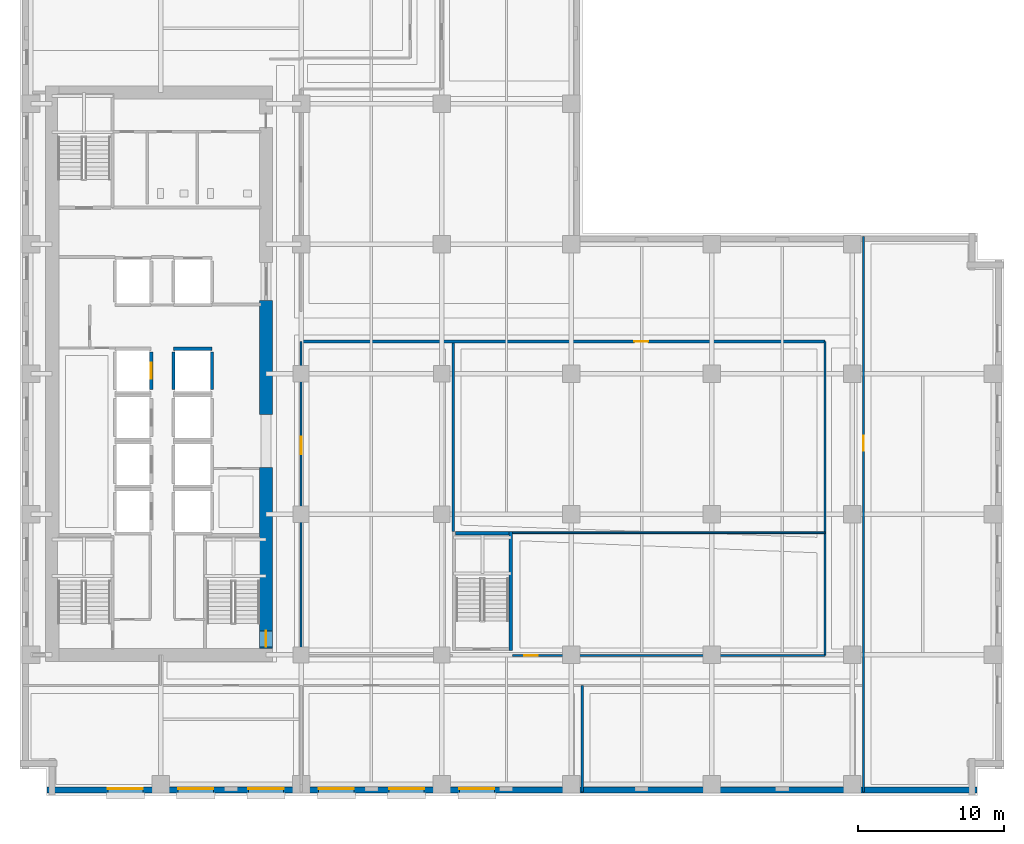
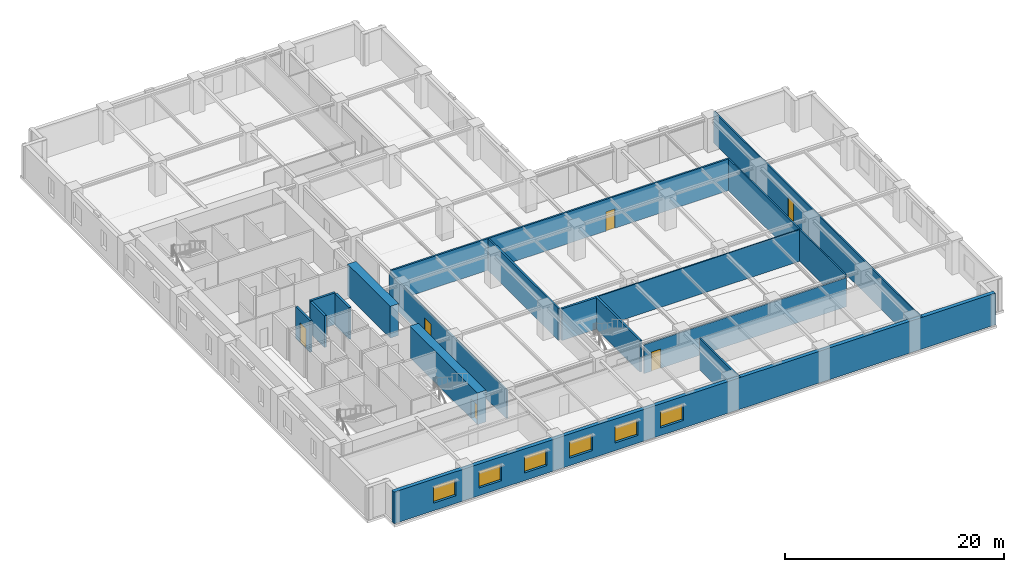
# One storey, part 5 of 14: 17 walls, 6 doors, 6 windows, 12 openings.
"""IFC4 building model written with IfcOpenShell, lengths in metres."""

import ifcopenshell
import ifcopenshell.guid

model = None  # the IFC model being written
_history = None  # IfcOwnerHistory: only IFC2X3 demands one
_inside = {}  # id of a spatial element -> (the spatial element, [elements in it])
_under = {}  # id of a project, library or spatial element -> (it, [spatial elements below it])
_declared = {}  # id of a project -> (the project, [libraries it declares])
_typed = {}  # id of a type object -> (the type object, [elements of that type])
_made_of = {}  # id of a material, layer set ... -> (it, [elements and type objects made of it])


def new_model(schema):
    """Start an empty IFC model of exactly this schema.

    Asked for "IFC4X3", IfcOpenShell would pick the latest addendum, in which some entities
    have other attributes; the version numbers below select the first issue.
    IFC2X3 requires an IfcOwnerHistory on every rooted entity: one is made here for all.
    """
    global model, _history
    if schema == "IFC4X3":
        model = ifcopenshell.file(schema_version=(4, 3, 0, 0))
    else:
        model = ifcopenshell.file(schema=schema)
    _inside.clear()
    _under.clear()
    _declared.clear()
    _typed.clear()
    _made_of.clear()
    _history = None
    if model.schema == "IFC2X3":
        org = make("IfcOrganization", Name="unknown")
        user = make(
            "IfcPersonAndOrganization",
            ThePerson=make("IfcPerson", FamilyName="unknown"),
            TheOrganization=org,
        )
        app = make(
            "IfcApplication",
            ApplicationDeveloper=org,
            Version="unknown",
            ApplicationFullName="unknown",
            ApplicationIdentifier="unknown",
        )
        _history = make(
            "IfcOwnerHistory",
            OwningUser=user,
            OwningApplication=app,
            ChangeAction="ADDED",
            CreationDate=0,
        )
    return model


def make(cls, **values):
    """One entity of the class cls with the attributes given. An attribute that is None is left unset."""
    return model.create_entity(
        cls, **{name: value for name, value in values.items() if value is not None}
    )


def rooted(cls, **values):
    """An entity with a GlobalId (a new one), such as an element, a storey or a relation."""
    return make(cls, GlobalId=ifcopenshell.guid.new(), OwnerHistory=_history, **values)


def si_unit(unit_type, name, prefix=None):
    """IfcSIUnit, for example si_unit("LENGTHUNIT", "METRE", prefix="MILLI")."""
    return make("IfcSIUnit", UnitType=unit_type, Prefix=prefix, Name=name)


def assignment(units):
    """IfcUnitAssignment: the units of a project."""
    return None if units is None else make("IfcUnitAssignment", Units=units)


def point(xyz):
    """IfcCartesianPoint."""
    return None if xyz is None else make("IfcCartesianPoint", Coordinates=xyz)


def direction(xyz):
    """IfcDirection."""
    return None if xyz is None else make("IfcDirection", DirectionRatios=xyz)


def frame(location, z_axis=None, x_axis=None):
    """IfcAxis2Placement3D, a coordinate frame: its origin and axes. An axis left out is left unset."""
    return make(
        "IfcAxis2Placement3D",
        Location=point(location),
        Axis=direction(z_axis),
        RefDirection=direction(x_axis),
    )


def frame_2d(location, x_axis=None):
    """IfcAxis2Placement2D, a coordinate frame in the plane: its origin and x axis."""
    return make(
        "IfcAxis2Placement2D", Location=point(location), RefDirection=direction(x_axis)
    )


def origin():
    """The frame at (0, 0, 0) with its axes left unset."""
    return frame((0.0, 0.0, 0.0))


def place(relative_to, where):
    """IfcLocalPlacement: puts the frame where relative to a parent placement (None: the world)."""
    return make(
        "IfcLocalPlacement", PlacementRelTo=relative_to, RelativePlacement=where
    )


def context(
    kind, dimensions, precision=None, world=None, true_north=None, identifier=None
):
    """IfcGeometricRepresentationContext, for example the 3D "Model" context."""
    return make(
        "IfcGeometricRepresentationContext",
        ContextIdentifier=identifier,
        ContextType=kind,
        CoordinateSpaceDimension=dimensions,
        Precision=precision,
        WorldCoordinateSystem=world,
        TrueNorth=true_north,
    )


def subcontext(parent, identifier, kind, view, scale=None):
    """IfcGeometricRepresentationSubContext, for example "Body" below "Model"."""
    return make(
        "IfcGeometricRepresentationSubContext",
        ContextIdentifier=identifier,
        ContextType=kind,
        ParentContext=parent,
        TargetScale=scale,
        TargetView=view,
    )


def project(units=None, contexts=None):
    """IfcProject with its units and contexts."""
    return rooted(
        "IfcProject",
        Name="project",
        RepresentationContexts=contexts,
        UnitsInContext=assignment(units),
    )


def spatial(cls, under=None, at=None, **own):
    """A site, building, storey or space (cls), placed at a placement, below another one or the project."""
    s = rooted(cls, ObjectPlacement=at, **own)
    if under is not None:
        _under.setdefault(under.id(), (under, []))[1].append(s)
    return s


def profile(cls, at=None, kind="AREA", **sizes):
    """A parametric profile (cls). Its sizes go by their IFC names, for example OverallWidth=200.0."""
    return make(cls, ProfileType=kind, Position=at, **sizes)


def rectangle(**sizes):
    """IfcRectangleProfileDef."""
    return profile("IfcRectangleProfileDef", **sizes)


def extrude(swept, where, along, depth):
    """IfcExtrudedAreaSolid: the profile swept, set in the frame where, extruded along a direction by depth."""
    return make(
        "IfcExtrudedAreaSolid",
        SweptArea=swept,
        Position=where,
        ExtrudedDirection=direction(along),
        Depth=depth,
    )


def shape(context_of_items, identifier, shape_type, items):
    """IfcShapeRepresentation: the items that make up one representation, for example the "Body"."""
    return make(
        "IfcShapeRepresentation",
        ContextOfItems=context_of_items,
        RepresentationIdentifier=identifier,
        RepresentationType=shape_type,
        Items=items,
    )


def material(Name=None, Category=None):
    """IfcMaterial."""
    return make("IfcMaterial", Name=Name, Category=Category)


def layer(
    of_material, thickness, ventilated=None, Name=None, Category=None, Priority=None
):
    """IfcMaterialLayer: one layer of a wall or slab, of a material (None: an air gap)."""
    return make(
        "IfcMaterialLayer",
        Material=of_material,
        LayerThickness=thickness,
        IsVentilated=ventilated,
        Name=Name,
        Category=Category,
        Priority=Priority,
    )


def layer_set(layers, Name=None):
    """IfcMaterialLayerSet."""
    return make("IfcMaterialLayerSet", MaterialLayers=layers, LayerSetName=Name)


def made_of(thing, what):
    """Note that an element or type object is made of a material, layer set ...; save() writes the relation."""
    if what is not None:
        _made_of.setdefault(what.id(), (what, []))[1].append(thing)
    return thing


def type_object(cls, material=None, **own):
    """A type object (cls), such as IfcWallType, which elements share."""
    return made_of(rooted(cls, **own), material)


def element(
    cls,
    number,
    at=None,
    inside=None,
    cuts=None,
    type_object=None,
    material=None,
    context=None,
    identifier="Body",
    shape_type=None,
    held_by="IfcProductDefinitionShape",
    body=None,
    shapes=None,
    **own,
):
    """One element of the class cls, such as IfcWall. Its Tag is "e" and its number.

    at: its placement. inside: the storey or other place that contains it. cuts: it is an
    opening in that element (IfcRelVoidsElement). A single representation is given by context,
    identifier, shape_type and body (its items); several are given by shapes. held_by: the class
    of the entity that holds the representations. save() writes the other relations.
    """
    e = rooted(cls, Tag="e%d" % number, ObjectPlacement=at, **own)
    if body is not None:
        shapes = [shape(context, identifier, shape_type, body)]
    if shapes is not None:
        e.Representation = make(held_by, Representations=shapes)
    if inside is not None:
        _inside.setdefault(inside.id(), (inside, []))[1].append(e)
    if cuts is not None:
        rooted(
            "IfcRelVoidsElement", RelatingBuildingElement=cuts, RelatedOpeningElement=e
        )
    if type_object is not None:
        _typed.setdefault(type_object.id(), (type_object, []))[1].append(e)
    return made_of(e, material)


def fill(opening, filler):
    """IfcRelFillsElement: the door or window that sits in an opening."""
    return rooted(
        "IfcRelFillsElement",
        RelatingOpeningElement=opening,
        RelatedBuildingElement=filler,
    )


def aggregate(whole, parts):
    """IfcRelAggregates: a whole, such as a stair, and the parts it consists of."""
    return rooted("IfcRelAggregates", RelatingObject=whole, RelatedObjects=parts)


def save(model, path):
    """Write the relations noted so far, then the file.

    IfcRelAggregates (storeys below a building ...), IfcRelContainedInSpatialStructure (elements
    in a storey), IfcRelDefinesByType, IfcRelAssociatesMaterial and IfcRelDeclares: one each for
    every whole, place, type object, material and project.
    """
    for whole, parts in _under.values():
        aggregate(whole, parts)
    for where, things in _inside.values():
        rooted(
            "IfcRelContainedInSpatialStructure",
            RelatedElements=things,
            RelatingStructure=where,
        )
    for kind, things in _typed.values():
        rooted("IfcRelDefinesByType", RelatedObjects=things, RelatingType=kind)
    for what, things in _made_of.values():
        rooted("IfcRelAssociatesMaterial", RelatedObjects=things, RelatingMaterial=what)
    for by, libraries in _declared.values():
        rooted("IfcRelDeclares", RelatingContext=by, RelatedDefinitions=libraries)
    model.write(path)


model = new_model("IFC4")

# Units and contexts
model_context = context("Model", 3, precision=1e-05, world=origin(), true_north=direction((0.0, 1.0)))
body_context = subcontext(model_context, "Body", "Model", "MODEL_VIEW")
ifc_project = project(units=[si_unit("LENGTHUNIT", "METRE"), si_unit("AREAUNIT", "SQUARE_METRE"), si_unit("VOLUMEUNIT", "CUBIC_METRE"), si_unit("PLANEANGLEUNIT", "RADIAN"), si_unit("MASSUNIT", "GRAM", prefix="KILO")], contexts=[model_context])

# Site, building, storey
site_placement = place(None, origin())
site = spatial("IfcSite", under=ifc_project, at=site_placement, CompositionType="ELEMENT")
building_placement = place(site_placement, origin())
building = spatial("IfcBuilding", under=site, at=building_placement, Name="Norrvale University Quadrangle", CompositionType="ELEMENT")
storey_placement = place(building_placement, frame((0.0, 0.0, 50.800048828125)))
storey = spatial("IfcBuildingStorey", under=building, at=storey_placement, Name="L12", CompositionType="ELEMENT", Elevation=50.800048828125)

# Wall, opening, door
ifc_material_1 = material(Name="Concrete C80/95", Category="concrete")
ifc_layer_1 = layer(ifc_material_1, 0.89990234375, Name="Concrete C80/95")
ifc_layer_set_1 = layer_set([ifc_layer_1], Name="Concrete C80/95")
wall_type_1 = type_object("IfcWallType", Name="Wall Core 900", PredefinedType="SHEAR", material=ifc_layer_set_1)
wall_1_placement = place(storey_placement, frame((16.800048828125, 10.050048828125, 0.0), z_axis=(0.0, 0.0, 1.0), x_axis=(0.0, 1.0, 0.0)))
wall_1 = element("IfcWall", 1, at=wall_1_placement, inside=storey, type_object=wall_type_1, Name="Tower Core Shear Wall L12-E1", PredefinedType="SHEAR", context=body_context, shape_type="SweptSolid", body=[
    extrude(rectangle(XDim=12.349853515625, YDim=0.89990234375, at=frame_2d((6.1748046875, 0.0))), origin(), (0.0, 0.0, 1.0), 3.5400390625),
])
opening_1_placement = place(wall_1_placement, frame((0.090087890625, 0.0, 0.0)))
opening_1 = element("IfcOpeningElement", 2, at=opening_1_placement, cuts=wall_1, Name="Opening D02", PredefinedType="OPENING", context=body_context, shape_type="SweptSolid", body=[
    extrude(rectangle(XDim=1.10009765625, YDim=2.199951171875, at=frame_2d((0.550048828125, 1.10009765625))), frame((0.0, 0.4619140625, 0.0), z_axis=(0.0, -1.0, 0.0), x_axis=(1.0, 0.0, 0.0)), (0.0, 0.0, 1.0), 0.923828125),
])
ifc_material_2 = material(Name="Hollow Steel 350W Fire Door", Category="steel")
door_type_1 = type_object("IfcDoorType", Name="Door Stair Exit 1100x2200", OperationType="NOTDEFINED", PredefinedType="DOOR", material=ifc_material_2)
door_1_placement = place(opening_1_placement, origin())
door_1 = element("IfcDoor", 3, at=door_1_placement, inside=storey, type_object=door_type_1, Name="Door Stair Exit 1100x2200 DR-L12-ST03", OperationType="SINGLE_SWING_LEFT", OverallHeight=2.199951171875, OverallWidth=1.10009765625, PredefinedType="DOOR", context=body_context, shape_type="SweptSolid", body=[
    extrude(rectangle(XDim=1.10009765625, YDim=2.199951171875, at=frame_2d((0.550048828125, 1.10009765625))), frame((0.0, 0.02490234375, 0.0), z_axis=(0.0, -1.0, 0.0), x_axis=(1.0, 0.0, 0.0)), (0.0, 0.0, 1.0), 0.050048828125),
])
fill(opening_1, door_1)

# Walls
wall_2_placement = place(storey_placement, frame((16.800048828125, 26.0, 0.0), z_axis=(0.0, 0.0, 1.0), x_axis=(0.0, 1.0, 0.0)))
element("IfcWall", 4, at=wall_2_placement, inside=storey, type_object=wall_type_1, Name="Tower Core Shear Wall L12-E2", PredefinedType="SHEAR", context=body_context, shape_type="SweptSolid", body=[
    extrude(rectangle(XDim=7.800048828125, YDim=0.89990234375, at=frame_2d((3.89990234375, 0.0))), origin(), (0.0, 0.0, 1.0), 3.5400390625),
])
ifc_material_3 = material(Name="Standard Academic Gypsum Partition")
ifc_layer_2 = layer(ifc_material_3, 0.125, Name="Standard Academic Gypsum Partition")
ifc_layer_set_2 = layer_set([ifc_layer_2], Name="Standard Academic Gypsum Partition")
wall_type_2 = type_object("IfcWallType", Name="Wall Gypsum Academic 125", PredefinedType="PARTITIONING", material=ifc_layer_set_2)
wall_3_placement = place(storey_placement, frame((33.6201171875, 17.93994140625, 0.0), z_axis=(0.0, 0.0, 1.0), x_axis=(1.0, 0.0, 0.0)))
element("IfcWall", 5, at=wall_3_placement, inside=storey, type_object=wall_type_2, Name="Interior Partition WL-L12-ISLH", PredefinedType="PARTITIONING", context=body_context, shape_type="SweptSolid", body=[
    extrude(rectangle(XDim=21.35498046875, YDim=0.125, at=frame_2d((10.677490234375, 0.0))), origin(), (0.0, 0.0, 1.0), 3.5400390625),
])

# Wall, opening, door
ifc_material_4 = material(Name="Fire-Rated Gypsum Stud Partition")
ifc_layer_3 = layer(ifc_material_4, 0.14990234375, Name="Fire-Rated Gypsum Stud Partition")
ifc_layer_set_3 = layer_set([ifc_layer_3], Name="Fire-Rated Gypsum Stud Partition")
wall_type_3 = type_object("IfcWallType", Name="Wall Gypsum Corridor 150", PredefinedType="PARTITIONING", material=ifc_layer_set_3)
wall_4_placement = place(storey_placement, frame((57.60009765625, 0.219970703125, 0.0), z_axis=(0.0, 0.0, 1.0), x_axis=(0.0, 1.0, 0.0)))
wall_4 = element("IfcWall", 6, at=wall_4_placement, inside=storey, type_object=wall_type_3, Name="Interior Partition WL-L12-ECW", PredefinedType="PARTITIONING", context=body_context, shape_type="SweptSolid", body=[
    extrude(rectangle(XDim=37.9599609375, YDim=0.14990234375, at=frame_2d((18.97998046875, 0.0))), origin(), (0.0, 0.0, 1.0), 3.5400390625),
])
opening_2_placement = place(wall_4_placement, frame((23.330078125, 0.0, 0.0)))
opening_2 = element("IfcOpeningElement", 7, at=opening_2_placement, cuts=wall_4, Name="Opening D04", PredefinedType="OPENING", context=body_context, shape_type="SweptSolid", body=[
    extrude(rectangle(XDim=1.0, YDim=2.199951171875, at=frame_2d((0.5, 1.10009765625))), frame((0.0, 0.0869140625, 0.0), z_axis=(0.0, -1.0, 0.0), x_axis=(1.0, 0.0, 0.0)), (0.0, 0.0, 1.0), 0.173828125),
])
ifc_material_5 = material(Name="Solid-Core Oak Fire Door", Category="wood")
door_type_2 = type_object("IfcDoorType", Name="Door Corridor 1000x2200", OperationType="NOTDEFINED", PredefinedType="DOOR", material=ifc_material_5)
door_2_placement = place(opening_2_placement, origin())
door_2 = element("IfcDoor", 8, at=door_2_placement, inside=storey, type_object=door_type_2, Name="Door Corridor 1000x2200 DR-L12-E01", OperationType="SINGLE_SWING_RIGHT", OverallHeight=2.199951171875, OverallWidth=1.0, PredefinedType="DOOR", context=body_context, shape_type="SweptSolid", body=[
    extrude(rectangle(XDim=1.0, YDim=2.199951171875, at=frame_2d((0.5, 1.10009765625))), frame((0.0, 0.02490234375, 0.0), z_axis=(0.0, -1.0, 0.0), x_axis=(1.0, 0.0, 0.0)), (0.0, 0.0, 1.0), 0.050048828125),
])
fill(opening_2, door_2)

wall_5_placement = place(storey_placement, frame((19.199951171875, 9.550048828125, 0.0), z_axis=(0.0, 0.0, 1.0), x_axis=(0.0, 1.0, 0.0)))
wall_5 = element("IfcWall", 9, at=wall_5_placement, inside=storey, type_object=wall_type_3, Name="Interior Partition WL-L12-ISLW", PredefinedType="PARTITIONING", context=body_context, shape_type="SweptSolid", body=[
    extrude(rectangle(XDim=21.449951171875, YDim=0.14990234375, at=frame_2d((10.72509765625, 0.0))), origin(), (0.0, 0.0, 1.0), 3.23193359375),
])
opening_3_placement = place(wall_5_placement, frame((13.75, 0.0, 0.0)))
opening_3 = element("IfcOpeningElement", 10, at=opening_3_placement, cuts=wall_5, Name="Opening D05", PredefinedType="OPENING", context=body_context, shape_type="SweptSolid", body=[
    extrude(rectangle(XDim=1.199951171875, YDim=2.199951171875, at=frame_2d((0.60009765625, 1.10009765625))), frame((0.0, 0.0869140625, 0.0), z_axis=(0.0, -1.0, 0.0), x_axis=(1.0, 0.0, 0.0)), (0.0, 0.0, 1.0), 0.173828125),
])
ifc_material_6 = material(Name="Acoustic Oak Classroom Door", Category="wood")
door_type_3 = type_object("IfcDoorType", Name="Door Classroom 1200x2200", OperationType="NOTDEFINED", PredefinedType="DOOR", material=ifc_material_6)
door_3_placement = place(opening_3_placement, origin())
door_3 = element("IfcDoor", 11, at=door_3_placement, inside=storey, type_object=door_type_3, Name="Door Classroom 1200x2200 DR-L12-IW1", OperationType="SINGLE_SWING_LEFT", OverallHeight=2.199951171875, OverallWidth=1.199951171875, PredefinedType="DOOR", context=body_context, shape_type="SweptSolid", body=[
    extrude(rectangle(XDim=1.199951171875, YDim=2.199951171875, at=frame_2d((0.60009765625, 1.10009765625))), frame((0.0, 0.02490234375, 0.0), z_axis=(0.0, -1.0, 0.0), x_axis=(1.0, 0.0, 0.0)), (0.0, 0.0, 1.0), 0.050048828125),
])
fill(opening_3, door_3)

wall_6_placement = place(storey_placement, frame((33.6201171875, 9.550048828125, 0.0), z_axis=(0.0, 0.0, 1.0), x_axis=(1.0, 0.0, 0.0)))
wall_6 = element("IfcWall", 12, at=wall_6_placement, inside=storey, type_object=wall_type_3, Name="Interior Partition WL-L12-ISLS2", PredefinedType="PARTITIONING", context=body_context, shape_type="SweptSolid", body=[
    extrude(rectangle(XDim=21.35498046875, YDim=0.14990234375, at=frame_2d((10.677490234375, 0.0))), origin(), (0.0, 0.0, 1.0), 3.23193359375),
])
opening_4_placement = place(wall_6_placement, frame((0.800048828125, 0.0, 0.0)))
opening_4 = element("IfcOpeningElement", 13, at=opening_4_placement, cuts=wall_6, Name="Opening D07", PredefinedType="OPENING", context=body_context, shape_type="SweptSolid", body=[
    extrude(rectangle(XDim=0.949951171875, YDim=2.14990234375, at=frame_2d((0.47509765625, 1.074951171875))), frame((0.0, 0.0869140625, 0.0), z_axis=(0.0, -1.0, 0.0), x_axis=(1.0, 0.0, 0.0)), (0.0, 0.0, 1.0), 0.173828125),
])
ifc_material_7 = material(Name="Solid-Core Maple Door", Category="wood")
door_type_4 = type_object("IfcDoorType", Name="Door Office 950x2150", OperationType="NOTDEFINED", PredefinedType="DOOR", material=ifc_material_7)
door_4_placement = place(opening_4_placement, origin())
door_4 = element("IfcDoor", 14, at=door_4_placement, inside=storey, type_object=door_type_4, Name="Door Office 950x2150 DR-L12-ISE", OperationType="SINGLE_SWING_LEFT", OverallHeight=2.14990234375, OverallWidth=0.949951171875, PredefinedType="DOOR", context=body_context, shape_type="SweptSolid", body=[
    extrude(rectangle(XDim=0.949951171875, YDim=2.14990234375, at=frame_2d((0.47509765625, 1.074951171875))), frame((0.0, 0.02490234375, 0.0), z_axis=(0.0, -1.0, 0.0), x_axis=(1.0, 0.0, 0.0)), (0.0, 0.0, 1.0), 0.050048828125),
])
fill(opening_4, door_4)

# Walls
wall_7_placement = place(storey_placement, frame((54.97509765625, 9.550048828125, 0.0), z_axis=(0.0, 0.0, 1.0), x_axis=(0.0, 1.0, 0.0)))
element("IfcWall", 15, at=wall_7_placement, inside=storey, type_object=wall_type_3, Name="Interior Partition WL-L12-ISLE", PredefinedType="PARTITIONING", context=body_context, shape_type="SweptSolid", body=[
    extrude(rectangle(XDim=21.449951171875, YDim=0.14990234375, at=frame_2d((10.72509765625, 0.0))), origin(), (0.0, 0.0, 1.0), 3.5400390625),
])
ifc_material_8 = material(Name="Acoustic Double-Stud Gypsum Partition")
ifc_layer_4 = layer(ifc_material_8, 0.179931640625, Name="Acoustic Double-Stud Gypsum Partition")
ifc_layer_set_4 = layer_set([ifc_layer_4], Name="Acoustic Double-Stud Gypsum Partition")
wall_type_4 = type_object("IfcWallType", Name="Wall Gypsum Lecture 180", PredefinedType="PARTITIONING", material=ifc_layer_set_4)
wall_8_placement = place(storey_placement, frame((29.580078125, 18.02490234375, 0.0), z_axis=(0.0, 0.0, 1.0), x_axis=(0.0, 1.0, 0.0)))
element("IfcWall", 16, at=wall_8_placement, inside=storey, type_object=wall_type_4, Name="Interior Partition WL-L12-ISLD", PredefinedType="PARTITIONING", context=body_context, shape_type="SweptSolid", body=[
    extrude(rectangle(XDim=12.880126953125, YDim=0.179931640625, at=frame_2d((6.43994140625, 0.0))), origin(), (0.0, 0.0, 1.0), 3.5400390625),
])

# Wall, opening, door
wall_9_placement = place(storey_placement, frame((19.280029296875, 31.0, 0.0), z_axis=(0.0, 0.0, 1.0), x_axis=(1.0, 0.0, 0.0)))
wall_9 = element("IfcWall", 17, at=wall_9_placement, inside=storey, type_object=wall_type_4, Name="Interior Partition WL-L12-ISLN", PredefinedType="PARTITIONING", context=body_context, shape_type="SweptSolid", body=[
    extrude(rectangle(XDim=35.695068359375, YDim=0.179931640625, at=frame_2d((17.84765625, 0.0))), origin(), (0.0, 0.0, 1.0), 3.5400390625),
])
opening_5_placement = place(wall_9_placement, frame((22.669921875, 0.0, 0.0)))
opening_5 = element("IfcOpeningElement", 18, at=opening_5_placement, cuts=wall_9, Name="Opening D07", PredefinedType="OPENING", context=body_context, shape_type="SweptSolid", body=[
    extrude(rectangle(XDim=0.949951171875, YDim=2.14990234375, at=frame_2d((0.47509765625, 1.074951171875))), frame((0.0, 0.10205078125, 0.0), z_axis=(0.0, -1.0, 0.0), x_axis=(1.0, 0.0, 0.0)), (0.0, 0.0, 1.0), 0.203857421875),
])
door_5_placement = place(opening_5_placement, origin())
door_5 = element("IfcDoor", 19, at=door_5_placement, inside=storey, type_object=door_type_4, Name="Door Office 950x2150 DR-L12-ILH", OperationType="SINGLE_SWING_RIGHT", OverallHeight=2.14990234375, OverallWidth=0.949951171875, PredefinedType="DOOR", context=body_context, shape_type="SweptSolid", body=[
    extrude(rectangle(XDim=0.949951171875, YDim=2.14990234375, at=frame_2d((0.47509765625, 1.074951171875))), frame((0.0, 0.02490234375, 0.0), z_axis=(0.0, -1.0, 0.0), x_axis=(1.0, 0.0, 0.0)), (0.0, 0.0, 1.0), 0.050048828125),
])
fill(opening_5, door_5)

# Wall
ifc_material_9 = material(Name="Sanitary Chase Gypsum Partition")
ifc_layer_5 = layer(ifc_material_9, 0.1650390625, Name="Sanitary Chase Gypsum Partition")
ifc_layer_set_5 = layer_set([ifc_layer_5], Name="Sanitary Chase Gypsum Partition")
wall_type_5 = type_object("IfcWallType", Name="Wall Gypsum Sanitary 165", PredefinedType="PLUMBINGWALL", material=ifc_layer_set_5)
wall_10_placement = place(storey_placement, frame((38.39990234375, 0.219970703125, 0.0), z_axis=(0.0, 0.0, 1.0), x_axis=(0.0, 1.0, 0.0)))
element("IfcWall", 20, at=wall_10_placement, inside=storey, type_object=wall_type_5, Name="Interior Partition WL-L12-SP02", PredefinedType="PLUMBINGWALL", context=body_context, shape_type="SweptSolid", body=[
    extrude(rectangle(XDim=7.280029296875, YDim=0.1650390625, at=frame_2d((3.64013671875, 0.0))), origin(), (0.0, 0.0, 1.0), 3.5400390625),
])

# Wall, openings, windows
ifc_material_10 = material(Name="Red Manganese Brick Masonry", Category="masonry")
ifc_layer_6 = layer(ifc_material_10, 0.39990234375, Name="Red Manganese Brick Masonry")
ifc_layer_set_6 = layer_set([ifc_layer_6], Name="Red Manganese Brick Masonry")
wall_type_6 = type_object("IfcWallType", Name="Wall Red Brick 400", PredefinedType="SOLIDWALL", material=ifc_layer_set_6)
wall_11_placement = place(storey_placement, frame((1.840087890625, 0.3798828125, 0.0), z_axis=(0.0, 0.0, 1.0), x_axis=(1.0, 0.0, 0.0)))
wall_11 = element("IfcWall", 21, at=wall_11_placement, inside=storey, type_object=wall_type_6, Name="Exterior Brick Facade Wall L12-01.1", PredefinedType="SOLIDWALL", context=body_context, shape_type="SweptSolid", body=[
    extrude(rectangle(XDim=63.52001953125, YDim=0.39990234375, at=frame_2d((31.760009765625, 0.0))), origin(), (0.0, 0.0, 1.0), 3.5400390625),
])
opening_6_placement = place(wall_11_placement, frame((4.159912109375, 0.0, 0.85009765625)))
opening_6 = element("IfcOpeningElement", 22, at=opening_6_placement, cuts=wall_11, Name="Opening W02", PredefinedType="OPENING", context=body_context, shape_type="SweptSolid", body=[
    extrude(rectangle(XDim=2.39990234375, YDim=1.85009765625, at=frame_2d((1.199951171875, 0.925048828125))), frame((0.0, 0.2119140625, 0.0), z_axis=(0.0, -1.0, 0.0), x_axis=(1.0, 0.0, 0.0)), (0.0, 0.0, 1.0), 0.423828125),
])
opening_7_placement = place(wall_11_placement, frame((8.9599609375, 0.0, 0.85009765625)))
opening_7 = element("IfcOpeningElement", 23, at=opening_7_placement, cuts=wall_11, Name="Opening W02", PredefinedType="OPENING", context=body_context, shape_type="SweptSolid", body=[
    extrude(rectangle(XDim=2.39990234375, YDim=1.85009765625, at=frame_2d((1.199951171875, 0.925048828125))), frame((0.0, 0.2119140625, 0.0), z_axis=(0.0, -1.0, 0.0), x_axis=(1.0, 0.0, 0.0)), (0.0, 0.0, 1.0), 0.423828125),
])
opening_8_placement = place(wall_11_placement, frame((13.760009765625, 0.0, 0.85009765625)))
opening_8 = element("IfcOpeningElement", 24, at=opening_8_placement, cuts=wall_11, Name="Opening W02", PredefinedType="OPENING", context=body_context, shape_type="SweptSolid", body=[
    extrude(rectangle(XDim=2.39990234375, YDim=1.85009765625, at=frame_2d((1.199951171875, 0.925048828125))), frame((0.0, 0.2119140625, 0.0), z_axis=(0.0, -1.0, 0.0), x_axis=(1.0, 0.0, 0.0)), (0.0, 0.0, 1.0), 0.423828125),
])
opening_9_placement = place(wall_11_placement, frame((18.56005859375, 0.0, 0.85009765625)))
opening_9 = element("IfcOpeningElement", 25, at=opening_9_placement, cuts=wall_11, Name="Opening W02", PredefinedType="OPENING", context=body_context, shape_type="SweptSolid", body=[
    extrude(rectangle(XDim=2.39990234375, YDim=1.85009765625, at=frame_2d((1.199951171875, 0.925048828125))), frame((0.0, 0.2119140625, 0.0), z_axis=(0.0, -1.0, 0.0), x_axis=(1.0, 0.0, 0.0)), (0.0, 0.0, 1.0), 0.423828125),
])
opening_10_placement = place(wall_11_placement, frame((23.360107421875, 0.0, 0.85009765625)))
opening_10 = element("IfcOpeningElement", 26, at=opening_10_placement, cuts=wall_11, Name="Opening W02", PredefinedType="OPENING", context=body_context, shape_type="SweptSolid", body=[
    extrude(rectangle(XDim=2.39990234375, YDim=1.85009765625, at=frame_2d((1.199951171875, 0.925048828125))), frame((0.0, 0.2119140625, 0.0), z_axis=(0.0, -1.0, 0.0), x_axis=(1.0, 0.0, 0.0)), (0.0, 0.0, 1.0), 0.423828125),
])
opening_11_placement = place(wall_11_placement, frame((28.159912109375, 0.0, 0.85009765625)))
opening_11 = element("IfcOpeningElement", 27, at=opening_11_placement, cuts=wall_11, Name="Opening W02", PredefinedType="OPENING", context=body_context, shape_type="SweptSolid", body=[
    extrude(rectangle(XDim=2.39990234375, YDim=1.85009765625, at=frame_2d((1.199951171875, 0.925048828125))), frame((0.0, 0.2119140625, 0.0), z_axis=(0.0, -1.0, 0.0), x_axis=(1.0, 0.0, 0.0)), (0.0, 0.0, 1.0), 0.423828125),
])
ifc_material_11 = material(Name="Triple Low-E Argon Glazing", Category="glass")
window_type = type_object("IfcWindowType", Name="Window Academic 2400x2300", PartitioningType="TRIPLE_PANEL_VERTICAL", PredefinedType="WINDOW", material=ifc_material_11)
window_1_placement = place(opening_6_placement, origin())
window_1 = element("IfcWindow", 28, at=window_1_placement, inside=storey, type_object=window_type, Name="Window Academic 2400x2300 WIN-L12-E01-1-01", OverallHeight=1.85009765625, OverallWidth=2.39990234375, PartitioningType="TRIPLE_PANEL_VERTICAL", PredefinedType="WINDOW", context=body_context, shape_type="SweptSolid", body=[
    extrude(rectangle(XDim=2.39990234375, YDim=1.85009765625, at=frame_2d((1.199951171875, 0.925048828125))), frame((0.0, 0.110107421875, 0.0), z_axis=(0.0, -1.0, 0.0), x_axis=(1.0, 0.0, 0.0)), (0.0, 0.0, 1.0), 0.06005859375),
])
fill(opening_6, window_1)
window_2_placement = place(opening_7_placement, origin())
window_2 = element("IfcWindow", 29, at=window_2_placement, inside=storey, type_object=window_type, Name="Window Academic 2400x2300 WIN-L12-E01-1-02", OverallHeight=1.85009765625, OverallWidth=2.39990234375, PartitioningType="TRIPLE_PANEL_VERTICAL", PredefinedType="WINDOW", context=body_context, shape_type="SweptSolid", body=[
    extrude(rectangle(XDim=2.39990234375, YDim=1.85009765625, at=frame_2d((1.199951171875, 0.925048828125))), frame((0.0, 0.110107421875, 0.0), z_axis=(0.0, -1.0, 0.0), x_axis=(1.0, 0.0, 0.0)), (0.0, 0.0, 1.0), 0.06005859375),
])
fill(opening_7, window_2)
window_3_placement = place(opening_8_placement, origin())
window_3 = element("IfcWindow", 30, at=window_3_placement, inside=storey, type_object=window_type, Name="Window Academic 2400x2300 WIN-L12-E01-1-03", OverallHeight=1.85009765625, OverallWidth=2.39990234375, PartitioningType="TRIPLE_PANEL_VERTICAL", PredefinedType="WINDOW", context=body_context, shape_type="SweptSolid", body=[
    extrude(rectangle(XDim=2.39990234375, YDim=1.85009765625, at=frame_2d((1.199951171875, 0.925048828125))), frame((0.0, 0.110107421875, 0.0), z_axis=(0.0, -1.0, 0.0), x_axis=(1.0, 0.0, 0.0)), (0.0, 0.0, 1.0), 0.06005859375),
])
fill(opening_8, window_3)
window_4_placement = place(opening_9_placement, origin())
window_4 = element("IfcWindow", 31, at=window_4_placement, inside=storey, type_object=window_type, Name="Window Academic 2400x2300 WIN-L12-E01-1-04", OverallHeight=1.85009765625, OverallWidth=2.39990234375, PartitioningType="TRIPLE_PANEL_VERTICAL", PredefinedType="WINDOW", context=body_context, shape_type="SweptSolid", body=[
    extrude(rectangle(XDim=2.39990234375, YDim=1.85009765625, at=frame_2d((1.199951171875, 0.925048828125))), frame((0.0, 0.110107421875, 0.0), z_axis=(0.0, -1.0, 0.0), x_axis=(1.0, 0.0, 0.0)), (0.0, 0.0, 1.0), 0.06005859375),
])
fill(opening_9, window_4)
window_5_placement = place(opening_10_placement, origin())
window_5 = element("IfcWindow", 32, at=window_5_placement, inside=storey, type_object=window_type, Name="Window Academic 2400x2300 WIN-L12-E01-1-05", OverallHeight=1.85009765625, OverallWidth=2.39990234375, PartitioningType="TRIPLE_PANEL_VERTICAL", PredefinedType="WINDOW", context=body_context, shape_type="SweptSolid", body=[
    extrude(rectangle(XDim=2.39990234375, YDim=1.85009765625, at=frame_2d((1.199951171875, 0.925048828125))), frame((0.0, 0.110107421875, 0.0), z_axis=(0.0, -1.0, 0.0), x_axis=(1.0, 0.0, 0.0)), (0.0, 0.0, 1.0), 0.06005859375),
])
fill(opening_10, window_5)
window_6_placement = place(opening_11_placement, origin())
window_6 = element("IfcWindow", 33, at=window_6_placement, inside=storey, type_object=window_type, Name="Window Academic 2400x2300 WIN-L12-E01-1-06", OverallHeight=1.85009765625, OverallWidth=2.39990234375, PartitioningType="TRIPLE_PANEL_VERTICAL", PredefinedType="WINDOW", context=body_context, shape_type="SweptSolid", body=[
    extrude(rectangle(XDim=2.39990234375, YDim=1.85009765625, at=frame_2d((1.199951171875, 0.925048828125))), frame((0.0, 0.110107421875, 0.0), z_axis=(0.0, -1.0, 0.0), x_axis=(1.0, 0.0, 0.0)), (0.0, 0.0, 1.0), 0.06005859375),
])
fill(opening_11, window_6)

# Walls
ifc_material_12 = material(Name="Concrete Blockwork 20 MPa Fire Shaft", Category="masonry")
ifc_layer_7 = layer(ifc_material_12, 0.219970703125, Name="Concrete Blockwork 20 MPa Fire Shaft")
ifc_layer_set_7 = layer_set([ifc_layer_7], Name="Concrete Blockwork 20 MPa Fire Shaft")
wall_type_7 = type_object("IfcWallType", Name="Wall Shaft 220", PredefinedType="SOLIDWALL", material=ifc_layer_set_7)
wall_12_placement = place(storey_placement, frame((33.510009765625, 9.8798828125, 0.0), z_axis=(0.0, 0.0, 1.0), x_axis=(0.0, 1.0, 0.0)))
element("IfcWall", 34, at=wall_12_placement, inside=storey, type_object=wall_type_7, Name="Stair ST-04 East Shaft Wall L12", PredefinedType="SOLIDWALL", context=body_context, shape_type="SweptSolid", body=[
    extrude(rectangle(XDim=8.14013671875, YDim=0.219970703125, at=frame_2d((4.070068359375, 0.0))), origin(), (0.0, 0.0, 1.0), 3.5400390625),
])
wall_13_placement = place(storey_placement, frame((29.75, 17.909912109375, 0.0), z_axis=(0.0, 0.0, 1.0), x_axis=(1.0, 0.0, 0.0)))
element("IfcWall", 35, at=wall_13_placement, inside=storey, type_object=wall_type_7, Name="Stair ST-04 North Shaft Wall L12", PredefinedType="SOLIDWALL", context=body_context, shape_type="SweptSolid", body=[
    extrude(rectangle(XDim=3.64990234375, YDim=0.219970703125, at=frame_2d((1.824951171875, 0.0))), origin(), (0.0, 0.0, 1.0), 3.5400390625),
])

# Wall, opening, door
wall_14_placement = place(storey_placement, frame((8.9599609375, 27.7099609375, 0.0), z_axis=(0.0, 0.0, 1.0), x_axis=(0.0, 1.0, 0.0)))
wall_14 = element("IfcWall", 36, at=wall_14_placement, inside=storey, type_object=wall_type_7, Name="Hoistway PL-04 East Wall L12", PredefinedType="SOLIDWALL", context=body_context, shape_type="SweptSolid", body=[
    extrude(rectangle(XDim=2.580078125, YDim=0.219970703125, at=frame_2d((1.2900390625, 0.0))), origin(), (0.0, 0.0, 1.0), 3.5400390625),
])
opening_12_placement = place(wall_14_placement, frame((0.739990234375, 0.0, 0.0)))
opening_12 = element("IfcOpeningElement", 37, at=opening_12_placement, cuts=wall_14, Name="Opening LD1", PredefinedType="OPENING", context=body_context, shape_type="SweptSolid", body=[
    extrude(rectangle(XDim=1.10009765625, YDim=2.199951171875, at=frame_2d((0.550048828125, 1.10009765625))), frame((0.0, 0.1220703125, 0.0), z_axis=(0.0, -1.0, 0.0), x_axis=(1.0, 0.0, 0.0)), (0.0, 0.0, 1.0), 0.243896484375),
])
ifc_material_13 = material(Name="Stainless Steel 316L Lift Landing Door", Category="steel")
door_type_5 = type_object("IfcDoorType", Name="Door Lift Landing 1100x2200", OperationType="DOUBLE_DOOR_SLIDING", PredefinedType="DOOR", material=ifc_material_13)
door_6_placement = place(opening_12_placement, origin())
door_6 = element("IfcDoor", 38, at=door_6_placement, inside=storey, type_object=door_type_5, Name="Elevator Landing Door DR-L12-PL-04", OperationType="DOUBLE_DOOR_SLIDING", OverallHeight=2.199951171875, OverallWidth=1.10009765625, PredefinedType="DOOR", context=body_context, shape_type="SweptSolid", body=[
    extrude(rectangle(XDim=1.10009765625, YDim=2.199951171875, at=frame_2d((0.550048828125, 1.10009765625))), frame((0.0, 0.02490234375, 0.0), z_axis=(0.0, -1.0, 0.0), x_axis=(1.0, 0.0, 0.0)), (0.0, 0.0, 1.0), 0.050048828125),
])
fill(opening_12, door_6)

# Walls
for number, where, z_axis, x_axis, name in (
    (39, (10.489990234375, 27.7099609375, 0.0), (0.0, 0.0, 1.0), (0.0, 1.0, 0.0), "Hoistway PL-08 West Wall L12"),
    (40, (13.110107421875, 27.7099609375, 0.0), (0.0, 0.0, 1.0), (0.0, 1.0, 0.0), "Hoistway PL-08 East Wall L12"),
):
    element("IfcWall", number, at=place(storey_placement, frame(where, z_axis=z_axis, x_axis=x_axis)), inside=storey, type_object=wall_type_7, Name=name, PredefinedType="SOLIDWALL", context=body_context, shape_type="SweptSolid", body=[
        extrude(rectangle(XDim=2.580078125, YDim=0.219970703125, at=frame_2d((1.2900390625, 0.0))), origin(), (0.0, 0.0, 1.0), 3.5400390625),
    ])
wall_15_placement = place(storey_placement, frame((10.489990234375, 30.510009765625, 0.0), z_axis=(0.0, 0.0, 1.0), x_axis=(1.0, 0.0, 0.0)))
element("IfcWall", 41, at=wall_15_placement, inside=storey, type_object=wall_type_7, Name="Hoistway PL-08 North Wall L12", PredefinedType="SOLIDWALL", context=body_context, shape_type="SweptSolid", body=[
    extrude(rectangle(XDim=2.6201171875, YDim=0.219970703125, at=frame_2d((1.31005859375, 0.0))), origin(), (0.0, 0.0, 1.0), 3.5400390625),
])

save(model, "model.ifc")
